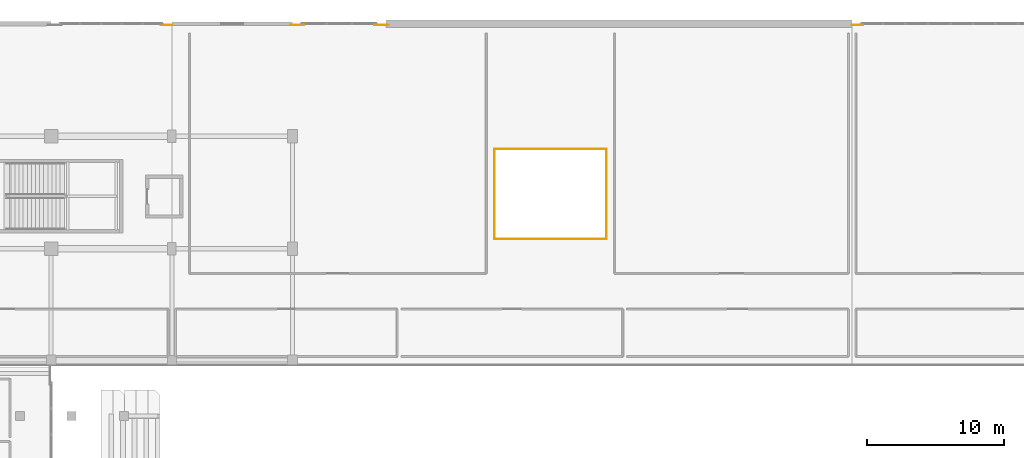
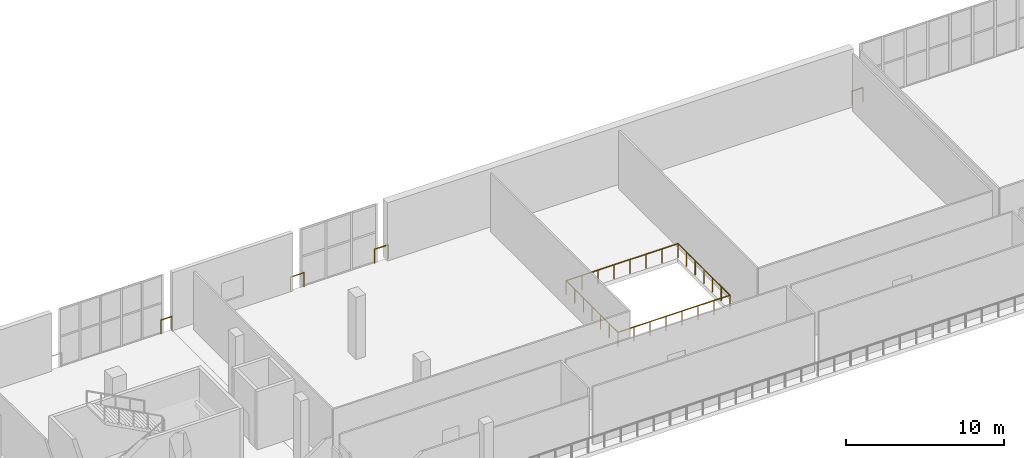
# One storey, part 139 of 142: 8 railings.
"""IFC4 building model written with IfcOpenShell, lengths in metres."""

from ifc_helpers import new_model, si_unit, direction, frame, origin, origin_2d, place, context, subcontext, project, spatial, circle, extrude, material, type_object, element, save


model = new_model("IFC4")

# Units and contexts
model_context = context("Model", 3, precision=1e-05, world=origin(), true_north=direction((0.0, 1.0)))
body_context = subcontext(model_context, "Body", "Model", "MODEL_VIEW")
ifc_project = project(units=[si_unit("LENGTHUNIT", "METRE"), si_unit("AREAUNIT", "SQUARE_METRE"), si_unit("VOLUMEUNIT", "CUBIC_METRE"), si_unit("PLANEANGLEUNIT", "RADIAN"), si_unit("MASSUNIT", "GRAM", prefix="KILO")], contexts=[model_context])

# Site, building, storey
site_placement = place(None, origin())
site = spatial("IfcSite", under=ifc_project, at=site_placement, CompositionType="ELEMENT")
building_placement = place(site_placement, origin())
building = spatial("IfcBuilding", under=site, at=building_placement, Name="Koshinbarg Plaza Stadium", CompositionType="ELEMENT")
storey_placement = place(building_placement, frame((0.0, 0.0, 10.199951171875)))
storey = spatial("IfcBuildingStorey", under=building, at=storey_placement, Name="L02", CompositionType="ELEMENT", Elevation=10.199951171875)

# Railings
ifc_material = material(Name="Toughened laminated glass and stainless steel sightline balustrade", Category="steel")
railing_type = type_object("IfcRailingType", Name="RL-BOWL-1100", PredefinedType="BALUSTRADE", material=ifc_material)
railing_1_placement = place(storey_placement, frame((95.919921875, 136.320068359375, 0.0)))
element("IfcRailing", 1, at=railing_1_placement, inside=storey, type_object=railing_type, Name="L02 atrium light-well balustrade 0055", PredefinedType="BALUSTRADE", context=body_context, shape_type="SweptSolid", body=[
    extrude(circle(Radius=0.02392578125, at=origin_2d()), frame((0.0, 0.0, 1.076171875), z_axis=(1.0, 0.0, 0.0), x_axis=(0.0, 1.0, 0.0)), (0.0, 0.0, 1.0), 8.16015625),
    extrude(circle(Radius=0.02099609375, at=origin_2d()), origin(), (0.0, 0.0, 1.0), 1.052001953125),
    extrude(circle(Radius=0.02099609375, at=origin_2d()), frame((1.165771484375, 0.0, 0.0)), (0.0, 0.0, 1.0), 1.052001953125),
    extrude(circle(Radius=0.02099609375, at=origin_2d()), frame((2.33154296875, 0.0, 0.0)), (0.0, 0.0, 1.0), 1.052001953125),
    extrude(circle(Radius=0.02099609375, at=origin_2d()), frame((3.497314453125, 0.0, 0.0)), (0.0, 0.0, 1.0), 1.052001953125),
    extrude(circle(Radius=0.02099609375, at=origin_2d()), frame((4.662841796875, 0.0, 0.0)), (0.0, 0.0, 1.0), 1.052001953125),
    extrude(circle(Radius=0.02099609375, at=origin_2d()), frame((5.82861328125, 0.0, 0.0)), (0.0, 0.0, 1.0), 1.052001953125),
    extrude(circle(Radius=0.02099609375, at=origin_2d()), frame((6.994384765625, 0.0, 0.0)), (0.0, 0.0, 1.0), 1.052001953125),
    extrude(circle(Radius=0.02099609375, at=origin_2d()), frame((8.16015625, 0.0, 0.0)), (0.0, 0.0, 1.0), 1.052001953125),
])
railing_2_placement = place(storey_placement, frame((104.080078125, 136.320068359375, 0.0)))
element("IfcRailing", 2, at=railing_2_placement, inside=storey, type_object=railing_type, Name="L02 atrium light-well balustrade 0056", PredefinedType="BALUSTRADE", context=body_context, shape_type="SweptSolid", body=[
    extrude(circle(Radius=0.02392578125, at=origin_2d()), frame((0.0, 0.0, 1.076171875), z_axis=(0.0, 1.0, 0.0), x_axis=(-1.0, 0.0, 0.0)), (0.0, 0.0, 1.0), 6.559814453125),
    extrude(circle(Radius=0.02099609375, at=origin_2d()), origin(), (0.0, 0.0, 1.0), 1.052001953125),
    extrude(circle(Radius=0.02099609375, at=origin_2d()), frame((0.0, 1.09326171875, 0.0)), (0.0, 0.0, 1.0), 1.052001953125),
    extrude(circle(Radius=0.02099609375, at=origin_2d()), frame((0.0, 2.1865234375, 0.0)), (0.0, 0.0, 1.0), 1.052001953125),
    extrude(circle(Radius=0.02099609375, at=origin_2d()), frame((0.0, 3.27978515625, 0.0)), (0.0, 0.0, 1.0), 1.052001953125),
    extrude(circle(Radius=0.02099609375, at=origin_2d()), frame((0.0, 4.373291015625, 0.0)), (0.0, 0.0, 1.0), 1.052001953125),
    extrude(circle(Radius=0.02099609375, at=origin_2d()), frame((0.0, 5.466552734375, 0.0)), (0.0, 0.0, 1.0), 1.052001953125),
    extrude(circle(Radius=0.02099609375, at=origin_2d()), frame((0.0, 6.559814453125, 0.0)), (0.0, 0.0, 1.0), 1.052001953125),
])
railing_3_placement = place(storey_placement, frame((104.080078125, 142.8798828125, 0.0)))
element("IfcRailing", 3, at=railing_3_placement, inside=storey, type_object=railing_type, Name="L02 atrium light-well balustrade 0057", PredefinedType="BALUSTRADE", context=body_context, shape_type="SweptSolid", body=[
    extrude(circle(Radius=0.02392578125, at=origin_2d()), frame((0.0, 0.0, 1.076171875), z_axis=(-1.0, 0.0, 0.0), x_axis=(0.0, -1.0, 0.0)), (0.0, 0.0, 1.0), 8.16015625),
    extrude(circle(Radius=0.02099609375, at=origin_2d()), origin(), (0.0, 0.0, 1.0), 1.052001953125),
    extrude(circle(Radius=0.02099609375, at=origin_2d()), frame((-1.165771484375, 0.0, 0.0)), (0.0, 0.0, 1.0), 1.052001953125),
    extrude(circle(Radius=0.02099609375, at=origin_2d()), frame((-2.33154296875, 0.0, 0.0)), (0.0, 0.0, 1.0), 1.052001953125),
    extrude(circle(Radius=0.02099609375, at=origin_2d()), frame((-3.497314453125, 0.0, 0.0)), (0.0, 0.0, 1.0), 1.052001953125),
    extrude(circle(Radius=0.02099609375, at=origin_2d()), frame((-4.662841796875, 0.0, 0.0)), (0.0, 0.0, 1.0), 1.052001953125),
    extrude(circle(Radius=0.02099609375, at=origin_2d()), frame((-5.82861328125, 0.0, 0.0)), (0.0, 0.0, 1.0), 1.052001953125),
    extrude(circle(Radius=0.02099609375, at=origin_2d()), frame((-6.994384765625, 0.0, 0.0)), (0.0, 0.0, 1.0), 1.052001953125),
    extrude(circle(Radius=0.02099609375, at=origin_2d()), frame((-8.16015625, 0.0, 0.0)), (0.0, 0.0, 1.0), 1.052001953125),
])
railing_4_placement = place(storey_placement, frame((95.919921875, 142.8798828125, 0.0)))
element("IfcRailing", 4, at=railing_4_placement, inside=storey, type_object=railing_type, Name="L02 atrium light-well balustrade 0058", PredefinedType="BALUSTRADE", context=body_context, shape_type="SweptSolid", body=[
    extrude(circle(Radius=0.02392578125, at=origin_2d()), frame((0.0, 0.0, 1.076171875), z_axis=(0.0, -1.0, 0.0), x_axis=(1.0, 0.0, 0.0)), (0.0, 0.0, 1.0), 6.559814453125),
    extrude(circle(Radius=0.02099609375, at=origin_2d()), origin(), (0.0, 0.0, 1.0), 1.052001953125),
    extrude(circle(Radius=0.02099609375, at=origin_2d()), frame((0.0, -1.09326171875, 0.0)), (0.0, 0.0, 1.0), 1.052001953125),
    extrude(circle(Radius=0.02099609375, at=origin_2d()), frame((0.0, -2.1865234375, 0.0)), (0.0, 0.0, 1.0), 1.052001953125),
    extrude(circle(Radius=0.02099609375, at=origin_2d()), frame((0.0, -3.27978515625, 0.0)), (0.0, 0.0, 1.0), 1.052001953125),
    extrude(circle(Radius=0.02099609375, at=origin_2d()), frame((0.0, -4.373291015625, 0.0)), (0.0, 0.0, 1.0), 1.052001953125),
    extrude(circle(Radius=0.02099609375, at=origin_2d()), frame((0.0, -5.466552734375, 0.0)), (0.0, 0.0, 1.0), 1.052001953125),
    extrude(circle(Radius=0.02099609375, at=origin_2d()), frame((0.0, -6.559814453125, 0.0)), (0.0, 0.0, 1.0), 1.052001953125),
])
railing_5_placement = place(storey_placement, frame((71.6005859375, 151.919921875, 0.0)))
element("IfcRailing", 5, at=railing_5_placement, inside=storey, type_object=railing_type, Name="L02 deck edge safety balustrade 0161", PredefinedType="BALUSTRADE", context=body_context, shape_type="SweptSolid", body=[
    extrude(circle(Radius=0.02392578125, at=origin_2d()), frame((0.0, 0.0, 1.076171875), z_axis=(1.0, 0.0, 0.0), x_axis=(0.0, 1.0, 0.0)), (0.0, 0.0, 1.0), 0.79931640625),
    extrude(circle(Radius=0.02099609375, at=origin_2d()), origin(), (0.0, 0.0, 1.0), 1.052001953125),
    extrude(circle(Radius=0.02099609375, at=origin_2d()), frame((0.79931640625, 0.0, 0.0)), (0.0, 0.0, 1.0), 1.052001953125),
])
for number, where, name in (
    (6, (81.041015625, 151.919921875, 0.0), "L02 deck edge safety balustrade 0162"),
    (7, (87.184814453125, 151.919921875, 0.0), "L02 deck edge safety balustrade 0163"),
):
    element("IfcRailing", number, at=place(storey_placement, frame(where)), inside=storey, type_object=railing_type, Name=name, PredefinedType="BALUSTRADE", context=body_context, shape_type="SweptSolid", body=[
        extrude(circle(Radius=0.02392578125, at=origin_2d()), frame((0.0, 0.0, 1.076171875), z_axis=(1.0, 0.0, 0.0), x_axis=(0.0, 1.0, 0.0)), (0.0, 0.0, 1.0), 0.99951171875),
        extrude(circle(Radius=0.02099609375, at=origin_2d()), origin(), (0.0, 0.0, 1.0), 1.052001953125),
        extrude(circle(Radius=0.02099609375, at=origin_2d()), frame((0.99951171875, 0.0, 0.0)), (0.0, 0.0, 1.0), 1.052001953125),
    ])
railing_6_placement = place(storey_placement, frame((122.0, 151.919921875, 0.0)))
element("IfcRailing", 8, at=railing_6_placement, inside=storey, type_object=railing_type, Name="L02 deck edge safety balustrade 0164", PredefinedType="BALUSTRADE", context=body_context, shape_type="SweptSolid", body=[
    extrude(circle(Radius=0.02392578125, at=origin_2d()), frame((0.0, 0.0, 1.076171875), z_axis=(1.0, 0.0, 0.0), x_axis=(0.0, 1.0, 0.0)), (0.0, 0.0, 1.0), 0.79931640625),
    extrude(circle(Radius=0.02099609375, at=origin_2d()), origin(), (0.0, 0.0, 1.0), 1.052001953125),
    extrude(circle(Radius=0.02099609375, at=origin_2d()), frame((0.79931640625, 0.0, 0.0)), (0.0, 0.0, 1.0), 1.052001953125),
])

save(model, "model.ifc")
